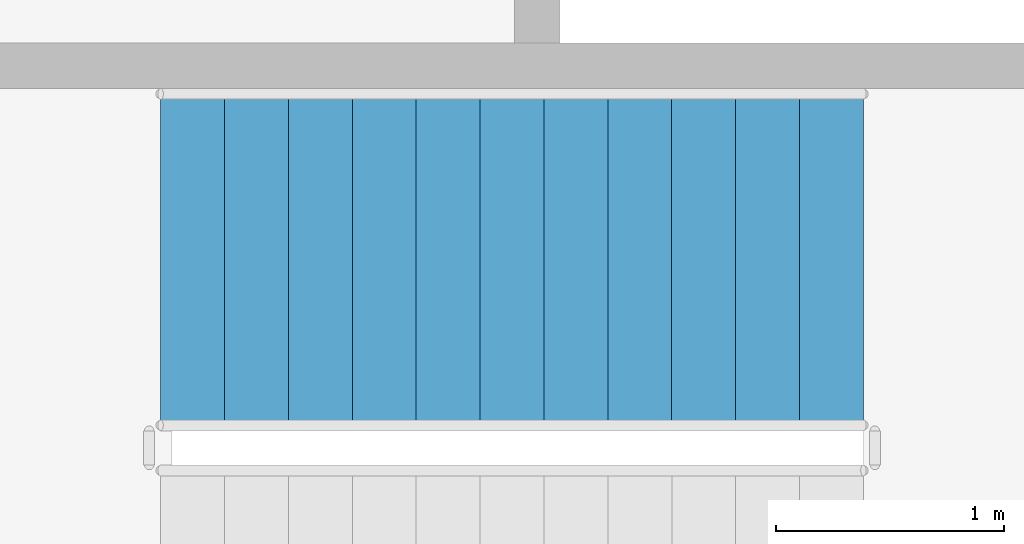
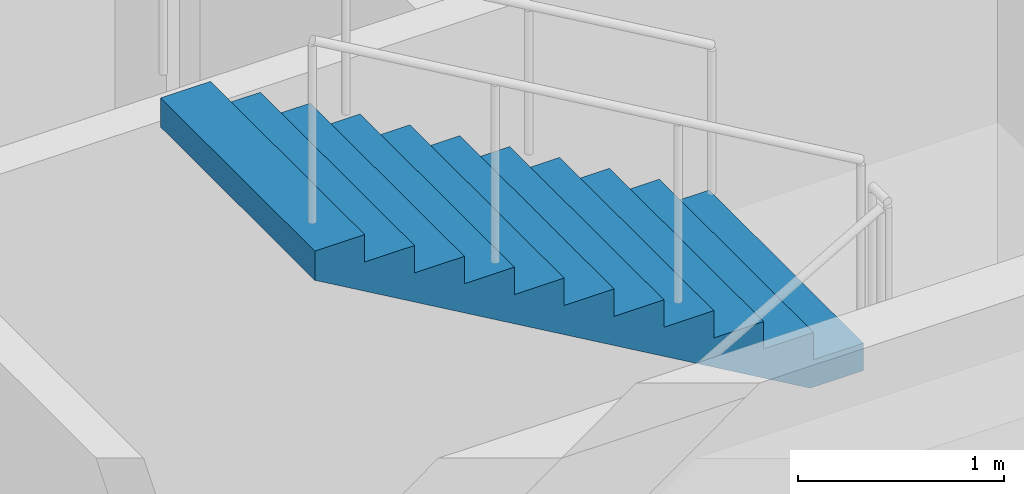
# One storey, part 14 of 17: 1 stair flight, 1 element without a shape of its own.
"""IFC4 building model written with IfcOpenShell, lengths in metres."""

from ifc_helpers import new_model, si_unit, direction, frame, origin, place, context, subcontext, project, spatial, triangles, material, type_object, element, aggregate, save


model = new_model("IFC4")

# Units and contexts
model_context = context("Model", 3, precision=1e-05, world=origin(), true_north=direction((0.0, 1.0)))
body_context = subcontext(model_context, "Body", "Model", "MODEL_VIEW")
ifc_project = project(units=[si_unit("LENGTHUNIT", "METRE"), si_unit("AREAUNIT", "SQUARE_METRE"), si_unit("VOLUMEUNIT", "CUBIC_METRE"), si_unit("PLANEANGLEUNIT", "RADIAN"), si_unit("MASSUNIT", "GRAM", prefix="KILO")], contexts=[model_context])

# Site, building, storey
site_placement = place(None, origin())
site = spatial("IfcSite", under=ifc_project, at=site_placement, CompositionType="ELEMENT")
building_placement = place(site_placement, origin())
building = spatial("IfcBuilding", under=site, at=building_placement, Name="Magnolia Steps Interchange", CompositionType="ELEMENT")
storey_placement = place(building_placement, frame((0.0, 0.0, 20.39990234375)))
storey = spatial("IfcBuildingStorey", under=building, at=storey_placement, Name="L05", CompositionType="ELEMENT", Elevation=20.39990234375)

# Stair, stair flight
ifc_material_1 = material(Name="Concrete C40", Category="concrete")
stair_type = type_object("IfcStairType", Name="Exit stair 1500", PredefinedType="HALF_TURN_STAIR", material=ifc_material_1)
stair_placement = place(storey_placement, origin())
stair = element("IfcStair", 1, at=stair_placement, inside=storey, type_object=stair_type, Name="L05 Stair 29", PredefinedType="HALF_TURN_STAIR")
ifc_material_2 = material(Name="Concrete C40", Category="concrete")
stair_flight_type = type_object("IfcStairFlightType", Name="Exit stair flight", PredefinedType="STRAIGHT", material=ifc_material_2)
stair_flight_placement = place(storey_placement, frame((115.929931640625, 99.25, 1.9501953125), z_axis=(0.0, 0.0, 1.0), x_axis=(-1.0, 0.0, 0.0)))
stair_flight = element("IfcStairFlight", 2, at=stair_flight_placement, type_object=stair_flight_type, Name="Stair 29 flight 2", NumberOfRisers=12, NumberOfTreads=11, PredefinedType="STRAIGHT", RiserHeight=0.1625, TreadLength=0.28, context=body_context, shape_type="Tessellation", body=[
    triangles([(0.0, -0.75, 0.0), (0.298583984375, -0.75, 0.0), (3.080078125, -0.75, 1.6142578125), (3.080078125, -0.75, 1.78759765625), (2.800048828125, -0.75, 1.78759765625), (2.800048828125, -0.75, 1.625), (2.52001953125, -0.75, 1.625), (2.52001953125, -0.75, 1.46240234375), (2.239990234375, -0.75, 1.46240234375), (2.239990234375, -0.75, 1.300048828125), (1.9599609375, -0.75, 1.300048828125), (1.9599609375, -0.75, 1.137451171875), (1.679931640625, -0.75, 1.137451171875), (1.679931640625, -0.75, 0.97509765625), (1.39990234375, -0.75, 0.97509765625), (1.39990234375, -0.75, 0.8125), (1.1201171875, -0.75, 0.8125), (1.1201171875, -0.75, 0.64990234375), (0.840087890625, -0.75, 0.64990234375), (0.840087890625, -0.75, 0.487548828125), (0.56005859375, -0.75, 0.487548828125), (0.56005859375, -0.75, 0.324951171875), (0.280029296875, -0.75, 0.324951171875), (0.280029296875, -0.75, 0.16259765625), (0.0, -0.75, 0.16259765625), (0.0, 0.75, 0.0), (0.298583984375, 0.75, 0.0), (3.080078125, 0.75, 1.6142578125), (3.080078125, 0.75, 1.78759765625), (2.800048828125, 0.75, 1.78759765625), (2.800048828125, 0.75, 1.625), (2.52001953125, 0.75, 1.625), (2.52001953125, 0.75, 1.46240234375), (2.239990234375, 0.75, 1.46240234375), (2.239990234375, 0.75, 1.300048828125), (1.9599609375, 0.75, 1.300048828125), (1.9599609375, 0.75, 1.137451171875), (1.679931640625, 0.75, 1.137451171875), (1.679931640625, 0.75, 0.97509765625), (1.39990234375, 0.75, 0.97509765625), (1.39990234375, 0.75, 0.8125), (1.1201171875, 0.75, 0.8125), (1.1201171875, 0.75, 0.64990234375), (0.840087890625, 0.75, 0.64990234375), (0.840087890625, 0.75, 0.487548828125), (0.56005859375, 0.75, 0.487548828125), (0.56005859375, 0.75, 0.324951171875), (0.280029296875, 0.75, 0.324951171875), (0.280029296875, 0.75, 0.16259765625), (0.0, 0.75, 0.16259765625), (0.0, 0.0, 0.0), (0.0, 0.0, 0.0406494140625), (0.0, 0.0, 0.081298828125), (0.0, 0.0, 0.1219482421875), (0.0, 0.0, 0.16259765625), (0.0, -0.05, 0.0), (0.0, -0.05, 0.16259765625), (0.0, 0.05, 0.0), (0.0, 0.05, 0.16259765625), (0.046671549479166664, 0.0, 0.16259765625), (0.09334309895833333, 0.0, 0.16259765625), (0.1400146484375, 0.0, 0.16259765625), (0.18668619791666666, 0.0, 0.16259765625), (0.23335774739583334, 0.0, 0.16259765625), (0.280029296875, 0.0, 0.16259765625), (0.280029296875, -0.05, 0.16259765625), (0.280029296875, 0.05, 0.16259765625), (0.280029296875, 0.0, 0.20318603515625), (0.280029296875, 0.0, 0.2437744140625), (0.280029296875, 0.0, 0.28436279296875), (0.280029296875, 0.0, 0.324951171875), (0.280029296875, -0.05, 0.324951171875), (0.280029296875, 0.05, 0.324951171875), (0.3267008463541667, 0.0, 0.324951171875), (0.3733723958333333, 0.0, 0.324951171875), (0.4200439453125, 0.0, 0.324951171875), (0.46671549479166663, 0.0, 0.324951171875), (0.5133870442708334, 0.0, 0.324951171875), (0.56005859375, 0.0, 0.324951171875), (0.56005859375, -0.05, 0.324951171875), (0.56005859375, 0.05, 0.324951171875), (0.56005859375, 0.0, 0.3656005859375), (0.56005859375, 0.0, 0.40625), (0.56005859375, 0.0, 0.4468994140625), (0.56005859375, 0.0, 0.487548828125), (0.56005859375, -0.05, 0.487548828125), (0.56005859375, 0.05, 0.487548828125), (0.6067301432291666, 0.0, 0.487548828125), (0.6534016927083334, 0.0, 0.487548828125), (0.7000732421875, 0.0, 0.487548828125), (0.7467447916666666, 0.0, 0.487548828125), (0.7934163411458334, 0.0, 0.487548828125), (0.840087890625, 0.0, 0.487548828125), (0.840087890625, -0.05, 0.487548828125), (0.840087890625, 0.05, 0.487548828125), (0.840087890625, 0.0, 0.52813720703125), (0.840087890625, 0.0, 0.5687255859375), (0.840087890625, 0.0, 0.60931396484375), (0.840087890625, 0.0, 0.64990234375), (0.840087890625, -0.05, 0.64990234375), (0.840087890625, 0.05, 0.64990234375), (0.8867594401041666, 0.0, 0.64990234375), (0.9334309895833334, 0.0, 0.64990234375), (0.9801025390625, 0.0, 0.64990234375), (1.0267740885416667, 0.0, 0.64990234375), (1.0734456380208333, 0.0, 0.64990234375), (1.1201171875, 0.0, 0.64990234375), (1.1201171875, -0.05, 0.64990234375), (1.1201171875, 0.05, 0.64990234375), (1.1201171875, 0.0, 0.6905517578125), (1.1201171875, 0.0, 0.731201171875), (1.1201171875, 0.0, 0.7718505859375), (1.1201171875, 0.0, 0.8125), (1.1201171875, -0.05, 0.8125), (1.1201171875, 0.05, 0.8125), (1.1900634765625, 0.0, 0.8125), (1.260009765625, 0.0, 0.8125), (1.3299560546875, 0.0, 0.8125), (1.39990234375, 0.0, 0.8125), (1.39990234375, -0.05, 0.8125), (1.39990234375, 0.05, 0.8125), (1.39990234375, 0.0, 0.8531494140625), (1.39990234375, 0.0, 0.893798828125), (1.39990234375, 0.0, 0.9344482421875), (1.39990234375, 0.0, 0.97509765625), (1.39990234375, -0.05, 0.97509765625), (1.39990234375, 0.05, 0.97509765625), (1.4465738932291667, 0.0, 0.97509765625), (1.4932454427083333, 0.0, 0.97509765625), (1.5399169921875, 0.0, 0.97509765625), (1.5865885416666667, 0.0, 0.97509765625), (1.6332600911458333, 0.0, 0.97509765625), (1.679931640625, 0.0, 0.97509765625), (1.679931640625, -0.05, 0.97509765625), (1.679931640625, 0.05, 0.97509765625), (1.679931640625, 0.0, 1.01568603515625), (1.679931640625, 0.0, 1.0562744140625), (1.679931640625, 0.0, 1.09686279296875), (1.679931640625, 0.0, 1.137451171875), (1.679931640625, -0.05, 1.137451171875), (1.679931640625, 0.05, 1.137451171875), (1.7266031901041667, 0.0, 1.137451171875), (1.7732747395833333, 0.0, 1.137451171875), (1.8199462890625, 0.0, 1.137451171875), (1.8666178385416667, 0.0, 1.137451171875), (1.9132893880208333, 0.0, 1.137451171875), (1.9599609375, 0.0, 1.137451171875), (1.9599609375, -0.05, 1.137451171875), (1.9599609375, 0.05, 1.137451171875), (1.9599609375, 0.0, 1.1781005859375), (1.9599609375, 0.0, 1.21875), (1.9599609375, 0.0, 1.2593994140625), (1.9599609375, 0.0, 1.300048828125), (1.9599609375, -0.05, 1.300048828125), (1.9599609375, 0.05, 1.300048828125), (2.0066324869791665, 0.0, 1.300048828125), (2.0533040364583335, 0.0, 1.300048828125), (2.0999755859375, 0.0, 1.300048828125), (2.1466471354166665, 0.0, 1.300048828125), (2.1933186848958335, 0.0, 1.300048828125), (2.239990234375, 0.0, 1.300048828125), (2.239990234375, -0.05, 1.300048828125), (2.239990234375, 0.05, 1.300048828125), (2.239990234375, 0.0, 1.34063720703125), (2.239990234375, 0.0, 1.3812255859375), (2.239990234375, 0.0, 1.42181396484375), (2.239990234375, 0.0, 1.46240234375), (2.239990234375, -0.05, 1.46240234375), (2.239990234375, 0.05, 1.46240234375), (2.2866617838541665, 0.0, 1.46240234375), (2.3333333333333335, 0.0, 1.46240234375), (2.3800048828125, 0.0, 1.46240234375), (2.4266764322916665, 0.0, 1.46240234375), (2.4733479817708335, 0.0, 1.46240234375), (2.52001953125, 0.0, 1.46240234375), (2.52001953125, -0.05, 1.46240234375), (2.52001953125, 0.05, 1.46240234375), (2.52001953125, 0.0, 1.5030517578125), (2.52001953125, 0.0, 1.543701171875), (2.52001953125, 0.0, 1.5843505859375), (2.52001953125, 0.0, 1.625), (2.52001953125, -0.05, 1.625), (2.52001953125, 0.05, 1.625), (2.5666910807291665, 0.0, 1.625), (2.6133626302083335, 0.0, 1.625), (2.6600341796875, 0.0, 1.625), (2.7067057291666665, 0.0, 1.625), (2.7533772786458335, 0.0, 1.625), (2.800048828125, 0.0, 1.625), (2.800048828125, -0.05, 1.625), (2.800048828125, 0.05, 1.625), (2.800048828125, 0.0, 1.6656494140625), (2.800048828125, 0.0, 1.706298828125), (2.800048828125, 0.0, 1.7469482421875), (2.800048828125, 0.0, 1.78759765625), (2.800048828125, -0.05, 1.78759765625), (2.800048828125, 0.05, 1.78759765625), (2.8467203776041665, 0.0, 1.78759765625), (2.8933919270833335, 0.0, 1.78759765625), (2.9400634765625, 0.0, 1.78759765625), (2.9867350260416665, 0.0, 1.78759765625), (3.0334065755208335, 0.0, 1.78759765625), (3.080078125, 0.0, 1.78759765625), (3.080078125, -0.05, 1.78759765625), (3.080078125, 0.05, 1.78759765625), (3.080078125, 0.0, 1.7442626953125), (3.080078125, 0.0, 1.700927734375), (3.080078125, 0.0, 1.6575927734375), (3.080078125, 0.0, 1.6142578125), (3.080078125, -0.05, 1.6142578125), (3.080078125, 0.05, 1.6142578125), (3.0196108610733696, 0.0, 1.5791652513586956), (2.9591435971467392, 0.0, 1.5440726902173914), (2.898676333220109, 0.0, 1.508980129076087), (2.8382090692934785, 0.0, 1.4738875679347827), (2.7777418053668477, 0.0, 1.4387950067934783), (2.7172745414402173, 0.0, 1.4037024456521738), (2.656807277513587, 0.0, 1.3686098845108696), (2.5963400135869565, 0.0, 1.3335173233695652), (2.535872749660326, 0.0, 1.2984247622282608), (2.475405485733696, 0.0, 1.2633322010869565), (2.4149382218070654, 0.0, 1.228239639945652), (2.3544709578804346, 0.0, 1.193147078804348), (2.294003693953804, 0.0, 1.1580545176630435), (2.233536430027174, 0.0, 1.1229619565217392), (2.1730691661005435, 0.0, 1.0878693953804348), (2.112601902173913, 0.0, 1.0527768342391304), (2.0521346382472827, 0.0, 1.0176842730978262), (1.991667374320652, 0.0, 0.9825917119565217), (1.9312001103940217, 0.0, 0.9474991508152174), (1.8707328464673914, 0.0, 0.9124065896739131), (1.810265582540761, 0.0, 0.8773140285326086), (1.7497983186141304, 0.0, 0.8422214673913043), (1.6893310546875, 0.0, 0.80712890625), (1.6288637907608696, 0.0, 0.7720363451086957), (1.568396526834239, 0.0, 0.7369437839673914), (1.5079292629076086, 0.0, 0.7018512228260869), (1.4474619989809783, 0.0, 0.6667586616847826), (1.386994735054348, 0.0, 0.6316661005434783), (1.3265274711277173, 0.0, 0.5965735394021738), (1.266060207201087, 0.0, 0.5614809782608696), (1.2055929432744565, 0.0, 0.5263884171195652), (1.1451256793478262, 0.0, 0.491295855978261), (1.0846584154211956, 0.0, 0.45620329483695654), (1.0241911514945654, 0.0, 0.4211107336956521), (0.9637238875679346, 0.0, 0.3860181725543479), (0.9032566236413042, 0.0, 0.35092561141304346), (0.8427893597146738, 0.0, 0.315833050271739), (0.7823220957880435, 0.0, 0.2807404891304348), (0.7218548318614131, 0.0, 0.24564792798913038), (0.6613875679347827, 0.0, 0.21055536684782616), (0.6009203040081523, 0.0, 0.17546280570652173), (0.540453040081522, 0.0, 0.1403702445652173), (0.47998577615489113, 0.0, 0.10527768342391308), (0.41951851222826075, 0.0, 0.07018512228260865), (0.3590512483016304, 0.0, 0.035092561141304435), (0.298583984375, 0.0, 0.0), (0.298583984375, -0.05, 0.0), (0.298583984375, 0.05, 0.0), (0.24881998697916666, 0.0, 0.0), (0.19905598958333331, 0.0, 0.0), (0.1492919921875, 0.0, 0.0), (0.09952799479166666, 0.0, 0.0), (0.04976399739583334, 0.0, 0.0)], [[1, 2, 3], [3, 4, 5], [3, 5, 6], [3, 6, 7], [3, 7, 8], [8, 9, 10], [3, 8, 10], [10, 11, 12], [3, 10, 12], [12, 13, 14], [3, 12, 14], [14, 15, 16], [3, 14, 16], [16, 17, 18], [3, 16, 18], [18, 19, 20], [3, 18, 20], [20, 21, 22], [3, 20, 22], [1, 3, 22], [22, 23, 24], [1, 22, 24], [24, 25, 1], [26, 28, 27], [28, 30, 29], [28, 31, 30], [28, 32, 31], [28, 33, 32], [33, 35, 34], [28, 35, 33], [35, 37, 36], [28, 37, 35], [37, 39, 38], [28, 39, 37], [39, 41, 40], [28, 41, 39], [41, 43, 42], [28, 43, 41], [43, 45, 44], [28, 45, 43], [45, 47, 46], [28, 47, 45], [26, 47, 28], [47, 49, 48], [26, 49, 47], [49, 26, 50], [1, 25, 57], [1, 57, 56], [56, 52, 51], [56, 53, 52], [56, 57, 53], [57, 54, 53], [57, 55, 54], [26, 59, 50], [26, 58, 59], [58, 51, 52], [58, 52, 53], [58, 53, 59], [59, 53, 54], [59, 54, 55], [25, 24, 66], [25, 66, 57], [57, 60, 55], [57, 61, 60], [57, 62, 61], [57, 66, 62], [66, 63, 62], [66, 64, 63], [66, 65, 64], [50, 67, 49], [50, 59, 67], [59, 55, 60], [59, 60, 61], [59, 61, 62], [59, 62, 67], [67, 62, 63], [67, 63, 64], [67, 64, 65], [24, 23, 72], [24, 72, 66], [66, 68, 65], [66, 69, 68], [66, 72, 69], [72, 70, 69], [72, 71, 70], [49, 73, 48], [49, 67, 73], [67, 65, 68], [67, 68, 69], [67, 69, 73], [73, 69, 70], [73, 70, 71], [23, 22, 80], [23, 80, 72], [72, 74, 71], [72, 75, 74], [72, 76, 75], [72, 80, 76], [80, 77, 76], [80, 78, 77], [80, 79, 78], [48, 81, 47], [48, 73, 81], [73, 71, 74], [73, 74, 75], [73, 75, 76], [73, 76, 81], [81, 76, 77], [81, 77, 78], [81, 78, 79], [22, 21, 86], [22, 86, 80], [80, 82, 79], [80, 83, 82], [80, 86, 83], [86, 84, 83], [86, 85, 84], [47, 87, 46], [47, 81, 87], [81, 79, 82], [81, 82, 83], [81, 83, 87], [87, 83, 84], [87, 84, 85], [21, 20, 94], [21, 94, 86], [86, 88, 85], [86, 89, 88], [86, 90, 89], [86, 94, 90], [94, 91, 90], [94, 92, 91], [94, 93, 92], [46, 95, 45], [46, 87, 95], [87, 85, 88], [87, 88, 89], [87, 89, 90], [87, 90, 95], [95, 90, 91], [95, 91, 92], [95, 92, 93], [20, 19, 100], [20, 100, 94], [94, 96, 93], [94, 97, 96], [94, 100, 97], [100, 98, 97], [100, 99, 98], [45, 101, 44], [45, 95, 101], [95, 93, 96], [95, 96, 97], [95, 97, 101], [101, 97, 98], [101, 98, 99], [19, 18, 108], [19, 108, 100], [100, 102, 99], [100, 103, 102], [100, 104, 103], [100, 108, 104], [108, 105, 104], [108, 106, 105], [108, 107, 106], [44, 109, 43], [44, 101, 109], [101, 99, 102], [101, 102, 103], [101, 103, 104], [101, 104, 109], [109, 104, 105], [109, 105, 106], [109, 106, 107], [18, 17, 114], [18, 114, 108], [108, 110, 107], [108, 111, 110], [108, 114, 111], [114, 112, 111], [114, 113, 112], [43, 115, 42], [43, 109, 115], [109, 107, 110], [109, 110, 111], [109, 111, 115], [115, 111, 112], [115, 112, 113], [17, 16, 120], [17, 120, 114], [114, 116, 113], [114, 117, 116], [114, 120, 117], [120, 118, 117], [120, 119, 118], [42, 121, 41], [42, 115, 121], [115, 113, 116], [115, 116, 117], [115, 117, 121], [121, 117, 118], [121, 118, 119], [16, 15, 126], [16, 126, 120], [120, 122, 119], [120, 123, 122], [120, 126, 123], [126, 124, 123], [126, 125, 124], [41, 127, 40], [41, 121, 127], [121, 119, 122], [121, 122, 123], [121, 123, 127], [127, 123, 124], [127, 124, 125], [15, 14, 134], [15, 134, 126], [126, 128, 125], [126, 129, 128], [126, 130, 129], [126, 134, 130], [134, 131, 130], [134, 132, 131], [134, 133, 132], [40, 135, 39], [40, 127, 135], [127, 125, 128], [127, 128, 129], [127, 129, 130], [127, 130, 135], [135, 130, 131], [135, 131, 132], [135, 132, 133], [14, 13, 140], [14, 140, 134], [134, 136, 133], [134, 137, 136], [134, 140, 137], [140, 138, 137], [140, 139, 138], [39, 141, 38], [39, 135, 141], [135, 133, 136], [135, 136, 137], [135, 137, 141], [141, 137, 138], [141, 138, 139], [13, 12, 148], [13, 148, 140], [140, 142, 139], [140, 143, 142], [140, 144, 143], [140, 148, 144], [148, 145, 144], [148, 146, 145], [148, 147, 146], [38, 149, 37], [38, 141, 149], [141, 139, 142], [141, 142, 143], [141, 143, 144], [141, 144, 149], [149, 144, 145], [149, 145, 146], [149, 146, 147], [12, 11, 154], [12, 154, 148], [148, 150, 147], [148, 151, 150], [148, 154, 151], [154, 152, 151], [154, 153, 152], [37, 155, 36], [37, 149, 155], [149, 147, 150], [149, 150, 151], [149, 151, 155], [155, 151, 152], [155, 152, 153], [11, 10, 162], [11, 162, 154], [154, 156, 153], [154, 157, 156], [154, 158, 157], [154, 162, 158], [162, 159, 158], [162, 160, 159], [162, 161, 160], [36, 163, 35], [36, 155, 163], [155, 153, 156], [155, 156, 157], [155, 157, 158], [155, 158, 163], [163, 158, 159], [163, 159, 160], [163, 160, 161], [10, 9, 168], [10, 168, 162], [162, 164, 161], [162, 165, 164], [162, 168, 165], [168, 166, 165], [168, 167, 166], [35, 169, 34], [35, 163, 169], [163, 161, 164], [163, 164, 165], [163, 165, 169], [169, 165, 166], [169, 166, 167], [9, 8, 176], [9, 176, 168], [168, 170, 167], [168, 171, 170], [168, 172, 171], [168, 176, 172], [176, 173, 172], [176, 174, 173], [176, 175, 174], [34, 177, 33], [34, 169, 177], [169, 167, 170], [169, 170, 171], [169, 171, 172], [169, 172, 177], [177, 172, 173], [177, 173, 174], [177, 174, 175], [8, 7, 182], [8, 182, 176], [176, 178, 175], [176, 179, 178], [176, 182, 179], [182, 180, 179], [182, 181, 180], [33, 183, 32], [33, 177, 183], [177, 175, 178], [177, 178, 179], [177, 179, 183], [183, 179, 180], [183, 180, 181], [7, 6, 190], [7, 190, 182], [182, 184, 181], [182, 185, 184], [182, 186, 185], [182, 190, 186], [190, 187, 186], [190, 188, 187], [190, 189, 188], [32, 191, 31], [32, 183, 191], [183, 181, 184], [183, 184, 185], [183, 185, 186], [183, 186, 191], [191, 186, 187], [191, 187, 188], [191, 188, 189], [6, 5, 196], [6, 196, 190], [190, 192, 189], [190, 193, 192], [190, 196, 193], [196, 194, 193], [196, 195, 194], [31, 197, 30], [31, 191, 197], [191, 189, 192], [191, 192, 193], [191, 193, 197], [197, 193, 194], [197, 194, 195], [5, 4, 204], [5, 204, 196], [196, 198, 195], [196, 199, 198], [196, 200, 199], [196, 204, 200], [204, 201, 200], [204, 202, 201], [204, 203, 202], [30, 205, 29], [30, 197, 205], [197, 195, 198], [197, 198, 199], [197, 199, 200], [197, 200, 205], [205, 200, 201], [205, 201, 202], [205, 202, 203], [4, 3, 210], [4, 210, 204], [204, 206, 203], [204, 207, 206], [204, 210, 207], [210, 208, 207], [210, 209, 208], [29, 211, 28], [29, 205, 211], [205, 203, 206], [205, 206, 207], [205, 207, 211], [211, 207, 208], [211, 208, 209], [3, 2, 258], [3, 258, 210], [210, 212, 209], [210, 213, 212], [210, 214, 213], [210, 215, 214], [210, 216, 215], [210, 217, 216], [210, 218, 217], [210, 219, 218], [210, 220, 219], [210, 221, 220], [210, 222, 221], [210, 223, 222], [210, 224, 223], [210, 225, 224], [210, 226, 225], [210, 227, 226], [210, 228, 227], [210, 229, 228], [210, 230, 229], [210, 231, 230], [210, 232, 231], [210, 233, 232], [210, 234, 233], [210, 258, 234], [258, 235, 234], [258, 236, 235], [258, 237, 236], [258, 238, 237], [258, 239, 238], [258, 240, 239], [258, 241, 240], [258, 242, 241], [258, 243, 242], [258, 244, 243], [258, 245, 244], [258, 246, 245], [258, 247, 246], [258, 248, 247], [258, 249, 248], [258, 250, 249], [258, 251, 250], [258, 252, 251], [258, 253, 252], [258, 254, 253], [258, 255, 254], [258, 256, 255], [258, 257, 256], [28, 259, 27], [28, 211, 259], [211, 209, 212], [211, 212, 213], [211, 213, 214], [211, 214, 215], [211, 215, 216], [211, 216, 217], [211, 217, 218], [211, 218, 219], [211, 219, 220], [211, 220, 221], [211, 221, 222], [211, 222, 223], [211, 223, 224], [211, 224, 225], [211, 225, 226], [211, 226, 227], [211, 227, 228], [211, 228, 229], [211, 229, 230], [211, 230, 231], [211, 231, 232], [211, 232, 233], [211, 233, 234], [211, 234, 259], [259, 234, 235], [259, 235, 236], [259, 236, 237], [259, 237, 238], [259, 238, 239], [259, 239, 240], [259, 240, 241], [259, 241, 242], [259, 242, 243], [259, 243, 244], [259, 244, 245], [259, 245, 246], [259, 246, 247], [259, 247, 248], [259, 248, 249], [259, 249, 250], [259, 250, 251], [259, 251, 252], [259, 252, 253], [259, 253, 254], [259, 254, 255], [259, 255, 256], [259, 256, 257], [2, 1, 56], [2, 56, 258], [258, 260, 257], [258, 261, 260], [258, 262, 261], [258, 56, 262], [56, 263, 262], [56, 264, 263], [56, 51, 264], [27, 58, 26], [27, 259, 58], [259, 257, 260], [259, 260, 261], [259, 261, 262], [259, 262, 58], [58, 262, 263], [58, 263, 264], [58, 264, 51]], closed=True),
])
aggregate(stair, [stair_flight])

save(model, "model.ifc")
